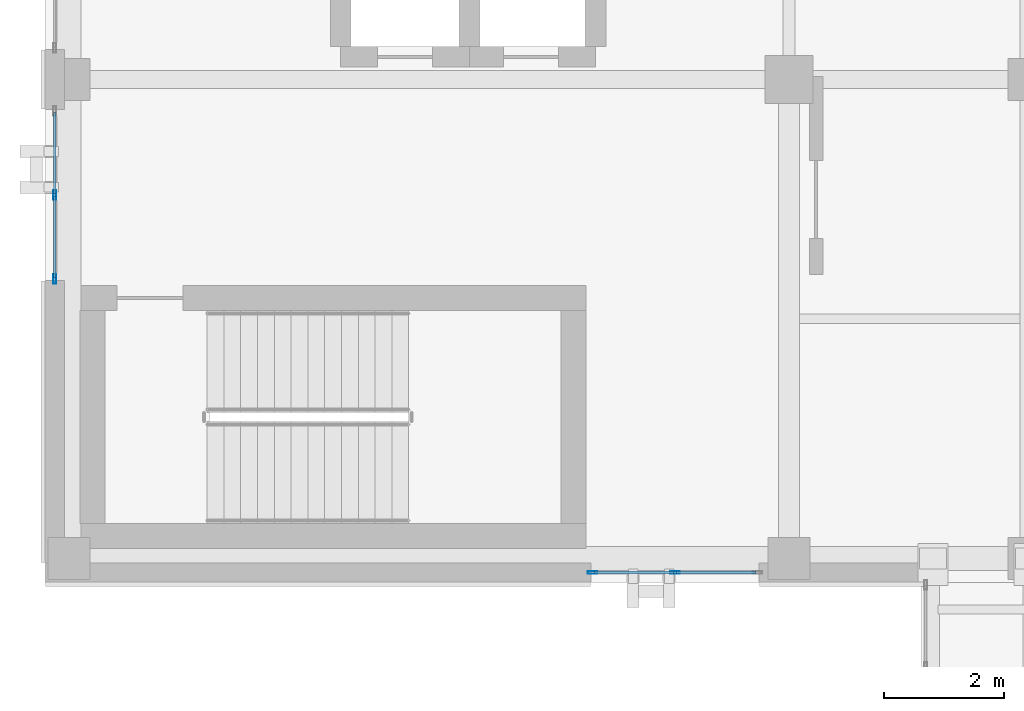
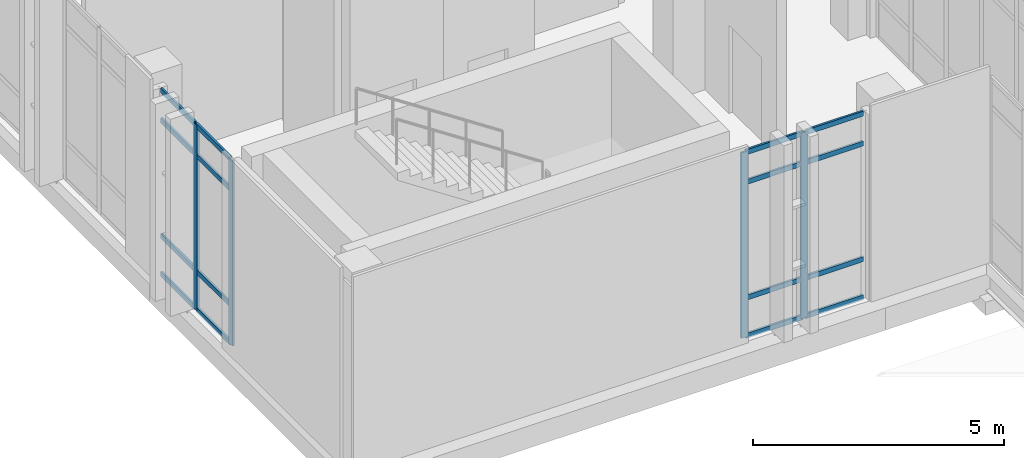
# One storey, part 18 of 189: 20 members, 2 elements without a shape of their own.
"""IFC4 building model written with IfcOpenShell, lengths in metres."""

from ifc_helpers import new_model, si_unit, direction, frame, origin, origin_2d, place, context, subcontext, project, spatial, hollow_rectangle, extrude, material, layer, layer_set, material_profile, profile_set, type_object, element, aggregate, save


model = new_model("IFC4")

# Units and contexts
model_context = context("Model", 3, precision=1e-05, world=origin(), true_north=direction((0.0, 1.0)))
body_context = subcontext(model_context, "Body", "Model", "MODEL_VIEW")
ifc_project = project(units=[si_unit("LENGTHUNIT", "METRE"), si_unit("AREAUNIT", "SQUARE_METRE"), si_unit("VOLUMEUNIT", "CUBIC_METRE"), si_unit("PLANEANGLEUNIT", "RADIAN"), si_unit("MASSUNIT", "GRAM", prefix="KILO")], contexts=[model_context])

# Site, building, storey
site_placement = place(None, origin())
site = spatial("IfcSite", under=ifc_project, at=site_placement, CompositionType="ELEMENT")
building_placement = place(site_placement, origin())
building = spatial("IfcBuilding", under=site, at=building_placement, Name="Qalavern Law Courts", CompositionType="ELEMENT")
storey_placement = place(building_placement, frame((0.0, 0.0, 5.39990234375)))
storey = spatial("IfcBuildingStorey", under=building, at=storey_placement, Name="L01", CompositionType="ELEMENT", Elevation=5.39990234375)

# Curtain wall, members
ifc_material_1 = material(Name="Anodised aluminium and insulated glazing", Category="aluminium")
ifc_layer = layer(ifc_material_1, 0.172119140625)
ifc_layer_set = layer_set([ifc_layer], Name="Anodised aluminium and insulated glazing")
curtain_wall_type = type_object("IfcCurtainWallType", Name="ENV-CW-COURT", PredefinedType="USERDEFINED", material=ifc_layer_set)
curtain_wall_1_placement = place(storey_placement, origin())
curtain_wall_1 = element("IfcCurtainWall", 1, at=curtain_wall_1_placement, inside=storey, type_object=curtain_wall_type, Name="V3 unitised curtain wall L01 south 1", ObjectType="UNITISED CURTAIN WALL", PredefinedType="USERDEFINED")
ifc_material_2 = material(Name="Anodised aluminium", Category="aluminium")
ifc_material_profile_1 = material_profile(ifc_material_2, hollow_rectangle(XDim=0.048095703125, YDim=0.159912109375, WallThickness=0.00390625, at=origin_2d()), Name="ALU MULLION 48x160")
ifc_profile_set_1 = profile_set([ifc_material_profile_1], Name="Anodised aluminium")
member_type_1 = type_object("IfcMemberType", Name="ENV-CWM-48x160", PredefinedType="MULLION", material=ifc_profile_set_1)
member_1_placement = place(storey_placement, frame((11.1240234375, 41.1826171875, 0.0), z_axis=(0.0, 0.0, 1.0), x_axis=(0.0, 1.0, 0.0)))
member_1 = element("IfcMember", 2, at=member_1_placement, type_object=member_type_1, Name="CW-03 mullion 1", PredefinedType="MULLION", context=body_context, shape_type="SweptSolid", body=[
    extrude(hollow_rectangle(XDim=0.048095703125, YDim=0.159912109375, WallThickness=0.00390625, at=origin_2d()), origin(), (0.0, 0.0, 1.0), 4.510009765625),
])
member_2_placement = place(storey_placement, frame((12.5, 41.1826171875, 0.0), z_axis=(0.0, 0.0, 1.0), x_axis=(0.0, 1.0, 0.0)))
member_2 = element("IfcMember", 3, at=member_2_placement, type_object=member_type_1, Name="CW-03 mullion 2", PredefinedType="MULLION", context=body_context, shape_type="SweptSolid", body=[
    extrude(hollow_rectangle(XDim=0.048095703125, YDim=0.159912109375, WallThickness=0.00390625, at=origin_2d()), origin(), (0.0, 0.0, 1.0), 4.510009765625),
])

curtain_wall_2_placement = place(storey_placement, origin())
curtain_wall_2 = element("IfcCurtainWall", 4, at=curtain_wall_2_placement, inside=storey, type_object=curtain_wall_type, Name="V3 unitised curtain wall L01 west 7", ObjectType="UNITISED CURTAIN WALL", PredefinedType="USERDEFINED")
member_3_placement = place(storey_placement, frame((2.16259765625, 47.47509765625, 0.0), z_axis=(0.0, 0.0, 1.0), x_axis=(1.0, 0.0, 0.0)))
member_3 = element("IfcMember", 5, at=member_3_placement, type_object=member_type_1, Name="CW-03 mullion 2", PredefinedType="MULLION", context=body_context, shape_type="SweptSolid", body=[
    extrude(hollow_rectangle(XDim=0.048095703125, YDim=0.159912109375, WallThickness=0.00390625, at=origin_2d()), origin(), (0.0, 0.0, 1.0), 4.510009765625),
])
member_4_placement = place(storey_placement, frame((2.16259765625, 46.073974609375, 0.0), z_axis=(0.0, 0.0, 1.0), x_axis=(1.0, 0.0, 0.0)))
member_4 = element("IfcMember", 6, at=member_4_placement, type_object=member_type_1, Name="CW-03 mullion 3", PredefinedType="MULLION", context=body_context, shape_type="SweptSolid", body=[
    extrude(hollow_rectangle(XDim=0.048095703125, YDim=0.159912109375, WallThickness=0.00390625, at=origin_2d()), origin(), (0.0, 0.0, 1.0), 4.510009765625),
])

# Member
ifc_material_profile_2 = material_profile(ifc_material_2, hollow_rectangle(XDim=0.048095703125, YDim=0.1201171875, WallThickness=0.00390625, at=origin_2d()), Name="ALU TRANSOM 48x120")
ifc_profile_set_2 = profile_set([ifc_material_profile_2], Name="Anodised aluminium")
member_type_2 = type_object("IfcMemberType", Name="ENV-CWT-48x120", PredefinedType="USERDEFINED", material=ifc_profile_set_2)
member_5_placement = place(storey_placement, frame((11.14794921875, 41.1826171875, 0.024169921875), z_axis=(1.0, 0.0, 0.0), x_axis=(0.0, 1.0, 0.0)))
member_5 = element("IfcMember", 7, at=member_5_placement, type_object=member_type_2, Name="CW-03 transom 1.1", ObjectType="TRANSOM", PredefinedType="USERDEFINED", context=body_context, shape_type="SweptSolid", body=[
    extrude(hollow_rectangle(XDim=0.048095703125, YDim=0.1201171875, WallThickness=0.00390625, at=origin_2d()), origin(), (0.0, 0.0, 1.0), 1.328125),
])

member_6_placement = place(storey_placement, frame((11.14794921875, 41.1826171875, 0.9501953125), z_axis=(1.0, 0.0, 0.0), x_axis=(0.0, 1.0, 0.0)))
member_6 = element("IfcMember", 8, at=member_6_placement, type_object=member_type_2, Name="CW-03 transom 1.2", ObjectType="TRANSOM", PredefinedType="USERDEFINED", context=body_context, shape_type="SweptSolid", body=[
    extrude(hollow_rectangle(XDim=0.048095703125, YDim=0.1201171875, WallThickness=0.00390625, at=origin_2d()), origin(), (0.0, 0.0, 1.0), 1.328125),
])

member_7_placement = place(storey_placement, frame((11.14794921875, 41.1826171875, 3.760009765625), z_axis=(1.0, 0.0, 0.0), x_axis=(0.0, 1.0, 0.0)))
member_7 = element("IfcMember", 9, at=member_7_placement, type_object=member_type_2, Name="CW-03 transom 1.3", ObjectType="TRANSOM", PredefinedType="USERDEFINED", context=body_context, shape_type="SweptSolid", body=[
    extrude(hollow_rectangle(XDim=0.048095703125, YDim=0.1201171875, WallThickness=0.00390625, at=origin_2d()), origin(), (0.0, 0.0, 1.0), 1.328125),
])

member_8_placement = place(storey_placement, frame((11.14794921875, 41.1826171875, 4.486083984375), z_axis=(1.0, 0.0, 0.0), x_axis=(0.0, 1.0, 0.0)))
member_8 = element("IfcMember", 10, at=member_8_placement, type_object=member_type_2, Name="CW-03 transom 1.4", ObjectType="TRANSOM", PredefinedType="USERDEFINED", context=body_context, shape_type="SweptSolid", body=[
    extrude(hollow_rectangle(XDim=0.048095703125, YDim=0.1201171875, WallThickness=0.00390625, at=origin_2d()), origin(), (0.0, 0.0, 1.0), 1.328125),
])

member_9_placement = place(storey_placement, frame((12.52392578125, 41.1826171875, 0.024169921875), z_axis=(1.0, 0.0, 0.0), x_axis=(0.0, 1.0, 0.0)))
member_9 = element("IfcMember", 11, at=member_9_placement, type_object=member_type_2, Name="CW-03 transom 2.1", ObjectType="TRANSOM", PredefinedType="USERDEFINED", context=body_context, shape_type="SweptSolid", body=[
    extrude(hollow_rectangle(XDim=0.048095703125, YDim=0.1201171875, WallThickness=0.00390625, at=origin_2d()), origin(), (0.0, 0.0, 1.0), 1.328125),
])

member_10_placement = place(storey_placement, frame((12.52392578125, 41.1826171875, 0.9501953125), z_axis=(1.0, 0.0, 0.0), x_axis=(0.0, 1.0, 0.0)))
member_10 = element("IfcMember", 12, at=member_10_placement, type_object=member_type_2, Name="CW-03 transom 2.2", ObjectType="TRANSOM", PredefinedType="USERDEFINED", context=body_context, shape_type="SweptSolid", body=[
    extrude(hollow_rectangle(XDim=0.048095703125, YDim=0.1201171875, WallThickness=0.00390625, at=origin_2d()), origin(), (0.0, 0.0, 1.0), 1.328125),
])

member_11_placement = place(storey_placement, frame((12.52392578125, 41.1826171875, 3.760009765625), z_axis=(1.0, 0.0, 0.0), x_axis=(0.0, 1.0, 0.0)))
member_11 = element("IfcMember", 13, at=member_11_placement, type_object=member_type_2, Name="CW-03 transom 2.3", ObjectType="TRANSOM", PredefinedType="USERDEFINED", context=body_context, shape_type="SweptSolid", body=[
    extrude(hollow_rectangle(XDim=0.048095703125, YDim=0.1201171875, WallThickness=0.00390625, at=origin_2d()), origin(), (0.0, 0.0, 1.0), 1.328125),
])

member_12_placement = place(storey_placement, frame((12.52392578125, 41.1826171875, 4.486083984375), z_axis=(1.0, 0.0, 0.0), x_axis=(0.0, 1.0, 0.0)))
member_12 = element("IfcMember", 14, at=member_12_placement, type_object=member_type_2, Name="CW-03 transom 2.4", ObjectType="TRANSOM", PredefinedType="USERDEFINED", context=body_context, shape_type="SweptSolid", body=[
    extrude(hollow_rectangle(XDim=0.048095703125, YDim=0.1201171875, WallThickness=0.00390625, at=origin_2d()), origin(), (0.0, 0.0, 1.0), 1.328125),
])

aggregate(curtain_wall_1, [member_1, member_2, member_5, member_6, member_7, member_8, member_9, member_10, member_11, member_12])

member_13_placement = place(storey_placement, frame((2.16259765625, 48.85205078125, 0.024169921875), z_axis=(0.0, -1.0, 0.0), x_axis=(1.0, 0.0, 0.0)))
member_13 = element("IfcMember", 15, at=member_13_placement, type_object=member_type_2, Name="CW-03 transom 1.1", ObjectType="TRANSOM", PredefinedType="USERDEFINED", context=body_context, shape_type="SweptSolid", body=[
    extrude(hollow_rectangle(XDim=0.048095703125, YDim=0.1201171875, WallThickness=0.00390625, at=origin_2d()), origin(), (0.0, 0.0, 1.0), 1.35302734375),
])

member_14_placement = place(storey_placement, frame((2.16259765625, 48.85205078125, 0.9501953125), z_axis=(0.0, -1.0, 0.0), x_axis=(1.0, 0.0, 0.0)))
member_14 = element("IfcMember", 16, at=member_14_placement, type_object=member_type_2, Name="CW-03 transom 1.2", ObjectType="TRANSOM", PredefinedType="USERDEFINED", context=body_context, shape_type="SweptSolid", body=[
    extrude(hollow_rectangle(XDim=0.048095703125, YDim=0.1201171875, WallThickness=0.00390625, at=origin_2d()), origin(), (0.0, 0.0, 1.0), 1.35302734375),
])

member_15_placement = place(storey_placement, frame((2.16259765625, 48.85205078125, 3.760009765625), z_axis=(0.0, -1.0, 0.0), x_axis=(1.0, 0.0, 0.0)))
member_15 = element("IfcMember", 17, at=member_15_placement, type_object=member_type_2, Name="CW-03 transom 1.3", ObjectType="TRANSOM", PredefinedType="USERDEFINED", context=body_context, shape_type="SweptSolid", body=[
    extrude(hollow_rectangle(XDim=0.048095703125, YDim=0.1201171875, WallThickness=0.00390625, at=origin_2d()), origin(), (0.0, 0.0, 1.0), 1.35302734375),
])

member_16_placement = place(storey_placement, frame((2.16259765625, 48.85205078125, 4.486083984375), z_axis=(0.0, -1.0, 0.0), x_axis=(1.0, 0.0, 0.0)))
member_16 = element("IfcMember", 18, at=member_16_placement, type_object=member_type_2, Name="CW-03 transom 1.4", ObjectType="TRANSOM", PredefinedType="USERDEFINED", context=body_context, shape_type="SweptSolid", body=[
    extrude(hollow_rectangle(XDim=0.048095703125, YDim=0.1201171875, WallThickness=0.00390625, at=origin_2d()), origin(), (0.0, 0.0, 1.0), 1.35302734375),
])

member_17_placement = place(storey_placement, frame((2.16259765625, 47.450927734375, 0.024169921875), z_axis=(0.0, -1.0, 0.0), x_axis=(1.0, 0.0, 0.0)))
member_17 = element("IfcMember", 19, at=member_17_placement, type_object=member_type_2, Name="CW-03 transom 2.1", ObjectType="TRANSOM", PredefinedType="USERDEFINED", context=body_context, shape_type="SweptSolid", body=[
    extrude(hollow_rectangle(XDim=0.048095703125, YDim=0.1201171875, WallThickness=0.00390625, at=origin_2d()), origin(), (0.0, 0.0, 1.0), 1.35302734375),
])

member_18_placement = place(storey_placement, frame((2.16259765625, 47.450927734375, 0.9501953125), z_axis=(0.0, -1.0, 0.0), x_axis=(1.0, 0.0, 0.0)))
member_18 = element("IfcMember", 20, at=member_18_placement, type_object=member_type_2, Name="CW-03 transom 2.2", ObjectType="TRANSOM", PredefinedType="USERDEFINED", context=body_context, shape_type="SweptSolid", body=[
    extrude(hollow_rectangle(XDim=0.048095703125, YDim=0.1201171875, WallThickness=0.00390625, at=origin_2d()), origin(), (0.0, 0.0, 1.0), 1.35302734375),
])

member_19_placement = place(storey_placement, frame((2.16259765625, 47.450927734375, 3.760009765625), z_axis=(0.0, -1.0, 0.0), x_axis=(1.0, 0.0, 0.0)))
member_19 = element("IfcMember", 21, at=member_19_placement, type_object=member_type_2, Name="CW-03 transom 2.3", ObjectType="TRANSOM", PredefinedType="USERDEFINED", context=body_context, shape_type="SweptSolid", body=[
    extrude(hollow_rectangle(XDim=0.048095703125, YDim=0.1201171875, WallThickness=0.00390625, at=origin_2d()), origin(), (0.0, 0.0, 1.0), 1.35302734375),
])

member_20_placement = place(storey_placement, frame((2.16259765625, 47.450927734375, 4.486083984375), z_axis=(0.0, -1.0, 0.0), x_axis=(1.0, 0.0, 0.0)))
member_20 = element("IfcMember", 22, at=member_20_placement, type_object=member_type_2, Name="CW-03 transom 2.4", ObjectType="TRANSOM", PredefinedType="USERDEFINED", context=body_context, shape_type="SweptSolid", body=[
    extrude(hollow_rectangle(XDim=0.048095703125, YDim=0.1201171875, WallThickness=0.00390625, at=origin_2d()), origin(), (0.0, 0.0, 1.0), 1.35302734375),
])

aggregate(curtain_wall_2, [member_3, member_4, member_13, member_14, member_15, member_16, member_17, member_18, member_19, member_20])

save(model, "model.ifc")
